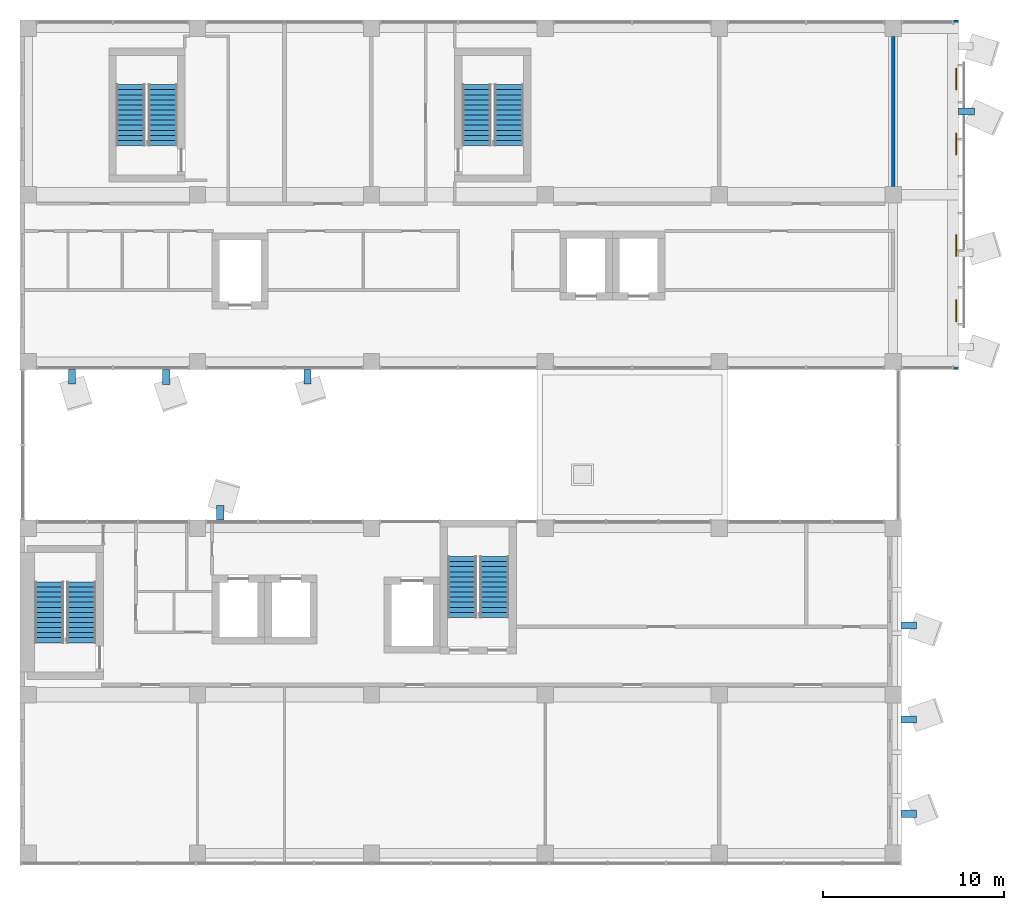
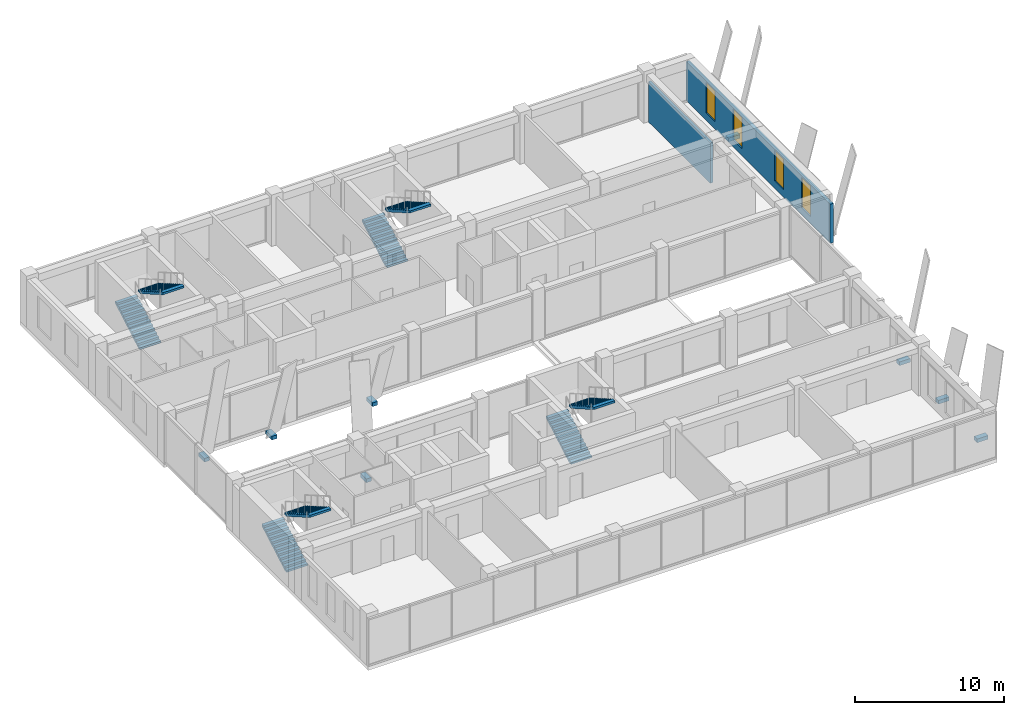
# One storey, part 31 of 38: 8 discrete accessories, 8 stair flights, 4 windows, 2 walls, 4 openings, 4 elements without a shape of their own.
"""IFC4 building model written with IfcOpenShell, lengths in metres."""

from ifc_helpers import new_model, si_unit, direction, frame, frame_2d, origin, origin_2d, place, context, subcontext, project, spatial, polyline, rectangle, outline, extrude, material, layer, layer_set, layer_usage, type_object, element, fill, aggregate, save


model = new_model("IFC4")

# Units and contexts
model_context = context("Model", 3, precision=1e-05, world=origin(), true_north=direction((0.0, 1.0)))
body_context = subcontext(model_context, "Body", "Model", "MODEL_VIEW")
ifc_project = project(units=[si_unit("LENGTHUNIT", "METRE"), si_unit("AREAUNIT", "SQUARE_METRE"), si_unit("VOLUMEUNIT", "CUBIC_METRE"), si_unit("PLANEANGLEUNIT", "RADIAN"), si_unit("MASSUNIT", "GRAM", prefix="KILO")], contexts=[model_context])

# Site, building, storey
site_placement = place(None, origin())
site = spatial("IfcSite", under=ifc_project, at=site_placement, CompositionType="ELEMENT")
building_placement = place(site_placement, origin())
building = spatial("IfcBuilding", under=site, at=building_placement, Name="Nzadi Deep Aquarium and Research Tower", CompositionType="ELEMENT")
storey_placement = place(building_placement, frame((0.0, 0.0, 52.89990234375)))
storey = spatial("IfcBuildingStorey", under=building, at=storey_placement, Name="L10", CompositionType="ELEMENT", Elevation=52.89990234375)

# Wall, openings, windows
ifc_material_1 = material(Name="Graphite aluminium shingle", Category="aluminium")
ifc_layer_1 = layer(ifc_material_1, 0.050048828125, Category="cladding")
ifc_material_2 = material(Name="Concrete C35/45", Category="concrete")
ifc_layer_2 = layer(ifc_material_2, 0.10009765625, Category="cladding")
ifc_material_3 = material(Name="Mineral wool insulation")
ifc_layer_3 = layer(ifc_material_3, 0.070068359375, Category="insulation")
ifc_material_4 = material(Name="Gypsum board lining")
ifc_layer_4 = layer(ifc_material_4, 0.030029296875, Category="lining")
ifc_layer_set_1 = layer_set([ifc_layer_1, ifc_layer_2, ifc_layer_3, ifc_layer_4], Name="Graphite aluminium shingle, Concrete C35/45, Mineral wool insulation, Gypsum board lining")
ifc_layer_usage = layer_usage(ifc_layer_set_1, "AXIS2", "POSITIVE", -0.125)
wall_type_1 = type_object("IfcWallType", Name="End wall shingle over board-formed concrete 250, 3.20 m high", PredefinedType="ELEMENTEDWALL", material=ifc_layer_set_1)
wall_1_placement = place(storey_placement, frame((51.47509765625, 27.14990234375, 0.0), z_axis=(0.0, 0.0, 1.0), x_axis=(0.0, 1.0, 0.0)))
wall_1 = element("IfcWall", 1, at=wall_1_placement, inside=storey, type_object=wall_type_1, material=ifc_layer_usage, Name="End wall blade B east L10", PredefinedType="ELEMENTEDWALL", context=body_context, shape_type="SweptSolid", body=[
    extrude(rectangle(XDim=19.300048828125, YDim=0.25, at=frame_2d((9.64990234375, 0.0))), origin(), (0.0, 0.0, 1.0), 3.2001953125),
])
opening_1_placement = place(wall_1_placement, frame((2.64990234375, 0.0, 0.60009765625)))
opening_1 = element("IfcOpeningElement", 2, at=opening_1_placement, cuts=wall_1, Name="Opening WN08", PredefinedType="OPENING", context=body_context, shape_type="SweptSolid", body=[
    extrude(rectangle(XDim=1.199951171875, YDim=2.5, at=frame_2d((0.60009765625, 1.25))), frame((0.0, 0.135009765625, 0.0), z_axis=(0.0, -1.0, 0.0), x_axis=(1.0, 0.0, 0.0)), (0.0, 0.0, 1.0), 0.27001953125),
])
opening_2_placement = place(wall_1_placement, frame((6.25, 0.0, 0.60009765625)))
opening_2 = element("IfcOpeningElement", 3, at=opening_2_placement, cuts=wall_1, Name="Opening WN08", PredefinedType="OPENING", context=body_context, shape_type="SweptSolid", body=[
    extrude(rectangle(XDim=1.199951171875, YDim=2.5, at=frame_2d((0.60009765625, 1.25))), frame((0.0, 0.135009765625, 0.0), z_axis=(0.0, -1.0, 0.0), x_axis=(1.0, 0.0, 0.0)), (0.0, 0.0, 1.0), 0.27001953125),
])
opening_3_placement = place(wall_1_placement, frame((11.85009765625, 0.0, 0.60009765625)))
opening_3 = element("IfcOpeningElement", 4, at=opening_3_placement, cuts=wall_1, Name="Opening WN08", PredefinedType="OPENING", context=body_context, shape_type="SweptSolid", body=[
    extrude(rectangle(XDim=1.199951171875, YDim=2.5, at=frame_2d((0.60009765625, 1.25))), frame((0.0, 0.135009765625, 0.0), z_axis=(0.0, -1.0, 0.0), x_axis=(1.0, 0.0, 0.0)), (0.0, 0.0, 1.0), 0.27001953125),
])
opening_4_placement = place(wall_1_placement, frame((15.449951171875, 0.0, 0.60009765625)))
opening_4 = element("IfcOpeningElement", 5, at=opening_4_placement, cuts=wall_1, Name="Opening WN08", PredefinedType="OPENING", context=body_context, shape_type="SweptSolid", body=[
    extrude(rectangle(XDim=1.199951171875, YDim=2.5, at=frame_2d((0.60009765625, 1.25))), frame((0.0, 0.135009765625, 0.0), z_axis=(0.0, -1.0, 0.0), x_axis=(1.0, 0.0, 0.0)), (0.0, 0.0, 1.0), 0.27001953125),
])
ifc_material_5 = material(Name="Aluminium window, sage tint glazing", Category="aluminium")
window_type = type_object("IfcWindowType", Name="Slot window 1200x2500 sill 600", PartitioningType="SINGLE_PANEL", PredefinedType="WINDOW", material=ifc_material_5)
window_1_placement = place(opening_1_placement, origin())
window_1 = element("IfcWindow", 6, at=window_1_placement, inside=storey, type_object=window_type, Name="Slot window L10 BE", OverallHeight=2.5, OverallWidth=1.199951171875, PartitioningType="SINGLE_PANEL", PredefinedType="WINDOW", context=body_context, shape_type="SweptSolid", body=[
    extrude(rectangle(XDim=1.199951171875, YDim=2.5, at=frame_2d((0.60009765625, 1.25))), frame((0.0, 0.030029296875, 0.0), z_axis=(0.0, -1.0, 0.0), x_axis=(1.0, 0.0, 0.0)), (0.0, 0.0, 1.0), 0.06005859375),
])
fill(opening_1, window_1)
window_2_placement = place(opening_2_placement, origin())
window_2 = element("IfcWindow", 7, at=window_2_placement, inside=storey, type_object=window_type, Name="Slot window L10 BE", OverallHeight=2.5, OverallWidth=1.199951171875, PartitioningType="SINGLE_PANEL", PredefinedType="WINDOW", context=body_context, shape_type="SweptSolid", body=[
    extrude(rectangle(XDim=1.199951171875, YDim=2.5, at=frame_2d((0.60009765625, 1.25))), frame((0.0, 0.030029296875, 0.0), z_axis=(0.0, -1.0, 0.0), x_axis=(1.0, 0.0, 0.0)), (0.0, 0.0, 1.0), 0.06005859375),
])
fill(opening_2, window_2)
window_3_placement = place(opening_3_placement, origin())
window_3 = element("IfcWindow", 8, at=window_3_placement, inside=storey, type_object=window_type, Name="Slot window L10 BE", OverallHeight=2.5, OverallWidth=1.199951171875, PartitioningType="SINGLE_PANEL", PredefinedType="WINDOW", context=body_context, shape_type="SweptSolid", body=[
    extrude(rectangle(XDim=1.199951171875, YDim=2.5, at=frame_2d((0.60009765625, 1.25))), frame((0.0, 0.030029296875, 0.0), z_axis=(0.0, -1.0, 0.0), x_axis=(1.0, 0.0, 0.0)), (0.0, 0.0, 1.0), 0.06005859375),
])
fill(opening_3, window_3)
window_4_placement = place(opening_4_placement, origin())
window_4 = element("IfcWindow", 9, at=window_4_placement, inside=storey, type_object=window_type, Name="Slot window L10 BE", OverallHeight=2.5, OverallWidth=1.199951171875, PartitioningType="SINGLE_PANEL", PredefinedType="WINDOW", context=body_context, shape_type="SweptSolid", body=[
    extrude(rectangle(XDim=1.199951171875, YDim=2.5, at=frame_2d((0.60009765625, 1.25))), frame((0.0, 0.030029296875, 0.0), z_axis=(0.0, -1.0, 0.0), x_axis=(1.0, 0.0, 0.0)), (0.0, 0.0, 1.0), 0.06005859375),
])
fill(opening_4, window_4)

# Wall
ifc_material_6 = material(Name="Blockwork masonry", Category="masonry")
ifc_layer_5 = layer(ifc_material_6, 0.199951171875)
ifc_layer_set_2 = layer_set([ifc_layer_5], Name="Blockwork masonry")
wall_type_2 = type_object("IfcWallType", Name="Partition 200 EI 120, 3.30 m high", PredefinedType="PARTITIONING", material=ifc_layer_set_2)
wall_2_placement = place(storey_placement, frame((48.0, 37.25, 0.0), z_axis=(0.0, 0.0, 1.0), x_axis=(0.0, 1.0, 0.0)))
element("IfcWall", 10, at=wall_2_placement, inside=storey, type_object=wall_type_2, Name="W-Z1-L10-P046", PredefinedType="PARTITIONING", context=body_context, shape_type="SweptSolid", body=[
    extrude(rectangle(XDim=8.300048828125, YDim=0.199951171875, at=frame_2d((4.14990234375, 0.0))), origin(), (0.0, 0.0, 1.0), 3.300048828125),
])

# Stair, stair flights
ifc_material_7 = material(Name="Concrete C35/45", Category="concrete")
stair_type = type_object("IfcStairType", Name="STAIR RETURN 3000", PredefinedType="NOTDEFINED", material=ifc_material_7)
stair_1_placement = place(storey_placement, origin())
stair_1 = element("IfcStair", 11, at=stair_1_placement, inside=storey, type_object=stair_type, Name="Stair ST-Z1-SW L10", PredefinedType="HALF_TURN_STAIR")
ifc_material_8 = material(Name="Concrete C35/45", Category="concrete")
stair_flight_type = type_object("IfcStairFlightType", Name="FLIGHT 1625 13 RISERS 161.5 GOING 280", PredefinedType="STRAIGHT", material=ifc_material_8)
stair_flight_1_placement = place(storey_placement, frame((1.41259765625, 12.070068359375, 0.0), z_axis=(0.0, 0.0, 1.0), x_axis=(0.0, 1.0, 0.0)))
stair_flight_1 = element("IfcStairFlight", 12, at=stair_flight_1_placement, type_object=stair_flight_type, Name="ST-Z1-SW flight 1", NumberOfRisers=13, NumberOfTreads=12, PredefinedType="STRAIGHT", RiserHeight=0.161538462, TreadLength=0.28, context=body_context, shape_type="SweptSolid", body=[
    extrude(outline(polyline([(0.0, 0.0), (0.0, 0.16162109375), (0.280029296875, 0.16162109375), (0.280029296875, 0.322998046875), (0.56005859375, 0.322998046875), (0.56005859375, 0.484619140625), (0.840087890625, 0.484619140625), (0.840087890625, 0.646240234375), (1.1201171875, 0.646240234375), (1.1201171875, 0.8076171875), (1.39990234375, 0.8076171875), (1.39990234375, 0.96923828125), (1.679931640625, 0.96923828125), (1.679931640625, 1.130859375), (1.9599609375, 1.130859375), (1.9599609375, 1.292236328125), (2.239990234375, 1.292236328125), (2.239990234375, 1.453857421875), (2.52001953125, 1.453857421875), (2.52001953125, 1.615478515625), (2.800048828125, 1.615478515625), (2.800048828125, 1.77685546875), (3.080078125, 1.77685546875), (3.080078125, 1.9384765625), (3.360107421875, 1.9384765625), (3.360107421875, 2.10009765625), (3.360107421875, 1.765380859375), (0.300048828125, 0.0), (0.0, 0.0)])), frame((0.0, 0.8125, 0.0), z_axis=(0.0, -1.0, 0.0), x_axis=(1.0, 0.0, 0.0)), (0.0, 0.0, 1.0), 1.625),
])
stair_flight_2_placement = place(storey_placement, frame((3.1875, 15.429931640625, 2.10009765625), z_axis=(0.0, 0.0, 1.0), x_axis=(0.0, -1.0, 0.0)))
stair_flight_2 = element("IfcStairFlight", 13, at=stair_flight_2_placement, type_object=stair_flight_type, Name="ST-Z1-SW flight 2", NumberOfRisers=13, NumberOfTreads=12, PredefinedType="STRAIGHT", RiserHeight=0.161538462, TreadLength=0.28, context=body_context, shape_type="SweptSolid", body=[
    extrude(outline(polyline([(0.0, 0.0), (0.0, 0.16162109375), (0.280029296875, 0.16162109375), (0.280029296875, 0.322998046875), (0.56005859375, 0.322998046875), (0.56005859375, 0.484619140625), (0.840087890625, 0.484619140625), (0.840087890625, 0.646240234375), (1.1201171875, 0.646240234375), (1.1201171875, 0.8076171875), (1.39990234375, 0.8076171875), (1.39990234375, 0.96923828125), (1.679931640625, 0.96923828125), (1.679931640625, 1.130859375), (1.9599609375, 1.130859375), (1.9599609375, 1.292236328125), (2.239990234375, 1.292236328125), (2.239990234375, 1.453857421875), (2.52001953125, 1.453857421875), (2.52001953125, 1.615478515625), (2.800048828125, 1.615478515625), (2.800048828125, 1.77685546875), (3.080078125, 1.77685546875), (3.080078125, 1.9384765625), (3.360107421875, 1.9384765625), (3.360107421875, 2.10009765625), (3.360107421875, 1.765380859375), (0.300048828125, 0.0), (0.0, 0.0)])), frame((0.0, 0.8125, 0.0), z_axis=(0.0, -1.0, 0.0), x_axis=(1.0, 0.0, 0.0)), (0.0, 0.0, 1.0), 1.625),
])
aggregate(stair_1, [stair_flight_1, stair_flight_2])

stair_2_placement = place(storey_placement, origin())
stair_2 = element("IfcStair", 14, at=stair_2_placement, inside=storey, type_object=stair_type, Name="Stair ST-Z1-SE L10", PredefinedType="HALF_TURN_STAIR")
stair_flight_3_placement = place(storey_placement, frame((24.21240234375, 13.469970703125, 0.0), z_axis=(0.0, 0.0, 1.0), x_axis=(0.0, 1.0, 0.0)))
stair_flight_3 = element("IfcStairFlight", 15, at=stair_flight_3_placement, type_object=stair_flight_type, Name="ST-Z1-SE flight 1", NumberOfRisers=13, NumberOfTreads=12, PredefinedType="STRAIGHT", RiserHeight=0.161538462, TreadLength=0.28, context=body_context, shape_type="SweptSolid", body=[
    extrude(outline(polyline([(0.0, 0.0), (0.0, 0.16162109375), (0.280029296875, 0.16162109375), (0.280029296875, 0.322998046875), (0.56005859375, 0.322998046875), (0.56005859375, 0.484619140625), (0.840087890625, 0.484619140625), (0.840087890625, 0.646240234375), (1.1201171875, 0.646240234375), (1.1201171875, 0.8076171875), (1.39990234375, 0.8076171875), (1.39990234375, 0.96923828125), (1.679931640625, 0.96923828125), (1.679931640625, 1.130859375), (1.9599609375, 1.130859375), (1.9599609375, 1.292236328125), (2.239990234375, 1.292236328125), (2.239990234375, 1.453857421875), (2.52001953125, 1.453857421875), (2.52001953125, 1.615478515625), (2.800048828125, 1.615478515625), (2.800048828125, 1.77685546875), (3.080078125, 1.77685546875), (3.080078125, 1.9384765625), (3.360107421875, 1.9384765625), (3.360107421875, 2.10009765625), (3.360107421875, 1.765380859375), (0.300048828125, 0.0), (0.0, 0.0)])), frame((0.0, 0.8125, 0.0), z_axis=(0.0, -1.0, 0.0), x_axis=(1.0, 0.0, 0.0)), (0.0, 0.0, 1.0), 1.625),
])
stair_flight_4_placement = place(storey_placement, frame((25.987548828125, 16.830078125, 2.10009765625), z_axis=(0.0, 0.0, 1.0), x_axis=(0.0, -1.0, 0.0)))
stair_flight_4 = element("IfcStairFlight", 16, at=stair_flight_4_placement, type_object=stair_flight_type, Name="ST-Z1-SE flight 2", NumberOfRisers=13, NumberOfTreads=12, PredefinedType="STRAIGHT", RiserHeight=0.161538462, TreadLength=0.28, context=body_context, shape_type="SweptSolid", body=[
    extrude(outline(polyline([(0.0, 0.0), (0.0, 0.16162109375), (0.280029296875, 0.16162109375), (0.280029296875, 0.322998046875), (0.56005859375, 0.322998046875), (0.56005859375, 0.484619140625), (0.840087890625, 0.484619140625), (0.840087890625, 0.646240234375), (1.1201171875, 0.646240234375), (1.1201171875, 0.8076171875), (1.39990234375, 0.8076171875), (1.39990234375, 0.96923828125), (1.679931640625, 0.96923828125), (1.679931640625, 1.130859375), (1.9599609375, 1.130859375), (1.9599609375, 1.292236328125), (2.239990234375, 1.292236328125), (2.239990234375, 1.453857421875), (2.52001953125, 1.453857421875), (2.52001953125, 1.615478515625), (2.800048828125, 1.615478515625), (2.800048828125, 1.77685546875), (3.080078125, 1.77685546875), (3.080078125, 1.9384765625), (3.360107421875, 1.9384765625), (3.360107421875, 2.10009765625), (3.360107421875, 1.765380859375), (0.300048828125, 0.0), (0.0, 0.0)])), frame((0.0, 0.8125, 0.0), z_axis=(0.0, -1.0, 0.0), x_axis=(1.0, 0.0, 0.0)), (0.0, 0.0, 1.0), 1.625),
])
aggregate(stair_2, [stair_flight_3, stair_flight_4])

stair_3_placement = place(storey_placement, origin())
stair_3 = element("IfcStair", 17, at=stair_3_placement, inside=storey, type_object=stair_type, Name="Stair ST-Z1-NW L10", PredefinedType="HALF_TURN_STAIR")
stair_flight_5_placement = place(storey_placement, frame((5.91259765625, 39.52001953125, 0.0), z_axis=(0.0, 0.0, 1.0), x_axis=(0.0, 1.0, 0.0)))
stair_flight_5 = element("IfcStairFlight", 18, at=stair_flight_5_placement, type_object=stair_flight_type, Name="ST-Z1-NW flight 1", NumberOfRisers=13, NumberOfTreads=12, PredefinedType="STRAIGHT", RiserHeight=0.161538462, TreadLength=0.28, context=body_context, shape_type="SweptSolid", body=[
    extrude(outline(polyline([(0.0, 0.0), (0.0, 0.16162109375), (0.280029296875, 0.16162109375), (0.280029296875, 0.322998046875), (0.56005859375, 0.322998046875), (0.56005859375, 0.484619140625), (0.840087890625, 0.484619140625), (0.840087890625, 0.646240234375), (1.1201171875, 0.646240234375), (1.1201171875, 0.8076171875), (1.39990234375, 0.8076171875), (1.39990234375, 0.96923828125), (1.679931640625, 0.96923828125), (1.679931640625, 1.130859375), (1.9599609375, 1.130859375), (1.9599609375, 1.292236328125), (2.239990234375, 1.292236328125), (2.239990234375, 1.453857421875), (2.52001953125, 1.453857421875), (2.52001953125, 1.615478515625), (2.800048828125, 1.615478515625), (2.800048828125, 1.77685546875), (3.080078125, 1.77685546875), (3.080078125, 1.9384765625), (3.360107421875, 1.9384765625), (3.360107421875, 2.10009765625), (3.360107421875, 1.765380859375), (0.300048828125, 0.0), (0.0, 0.0)])), frame((0.0, 0.8125, 0.0), z_axis=(0.0, -1.0, 0.0), x_axis=(1.0, 0.0, 0.0)), (0.0, 0.0, 1.0), 1.625),
])
stair_flight_6_placement = place(storey_placement, frame((7.6875, 42.8798828125, 2.10009765625), z_axis=(0.0, 0.0, 1.0), x_axis=(0.0, -1.0, 0.0)))
stair_flight_6 = element("IfcStairFlight", 19, at=stair_flight_6_placement, type_object=stair_flight_type, Name="ST-Z1-NW flight 2", NumberOfRisers=13, NumberOfTreads=12, PredefinedType="STRAIGHT", RiserHeight=0.161538462, TreadLength=0.28, context=body_context, shape_type="SweptSolid", body=[
    extrude(outline(polyline([(0.0, 0.0), (0.0, 0.16162109375), (0.280029296875, 0.16162109375), (0.280029296875, 0.322998046875), (0.56005859375, 0.322998046875), (0.56005859375, 0.484619140625), (0.840087890625, 0.484619140625), (0.840087890625, 0.646240234375), (1.1201171875, 0.646240234375), (1.1201171875, 0.8076171875), (1.39990234375, 0.8076171875), (1.39990234375, 0.96923828125), (1.679931640625, 0.96923828125), (1.679931640625, 1.130859375), (1.9599609375, 1.130859375), (1.9599609375, 1.292236328125), (2.239990234375, 1.292236328125), (2.239990234375, 1.453857421875), (2.52001953125, 1.453857421875), (2.52001953125, 1.615478515625), (2.800048828125, 1.615478515625), (2.800048828125, 1.77685546875), (3.080078125, 1.77685546875), (3.080078125, 1.9384765625), (3.360107421875, 1.9384765625), (3.360107421875, 2.10009765625), (3.360107421875, 1.765380859375), (0.300048828125, 0.0), (0.0, 0.0)])), frame((0.0, 0.8125, 0.0), z_axis=(0.0, -1.0, 0.0), x_axis=(1.0, 0.0, 0.0)), (0.0, 0.0, 1.0), 1.625),
])
aggregate(stair_3, [stair_flight_5, stair_flight_6])

stair_4_placement = place(storey_placement, origin())
stair_4 = element("IfcStair", 20, at=stair_4_placement, inside=storey, type_object=stair_type, Name="Stair ST-Z1-NE L10", PredefinedType="HALF_TURN_STAIR")
stair_flight_7_placement = place(storey_placement, frame((25.012451171875, 39.52001953125, 0.0), z_axis=(0.0, 0.0, 1.0), x_axis=(0.0, 1.0, 0.0)))
stair_flight_7 = element("IfcStairFlight", 21, at=stair_flight_7_placement, type_object=stair_flight_type, Name="ST-Z1-NE flight 1", NumberOfRisers=13, NumberOfTreads=12, PredefinedType="STRAIGHT", RiserHeight=0.161538462, TreadLength=0.28, context=body_context, shape_type="SweptSolid", body=[
    extrude(outline(polyline([(0.0, 0.0), (0.0, 0.16162109375), (0.280029296875, 0.16162109375), (0.280029296875, 0.322998046875), (0.56005859375, 0.322998046875), (0.56005859375, 0.484619140625), (0.840087890625, 0.484619140625), (0.840087890625, 0.646240234375), (1.1201171875, 0.646240234375), (1.1201171875, 0.8076171875), (1.39990234375, 0.8076171875), (1.39990234375, 0.96923828125), (1.679931640625, 0.96923828125), (1.679931640625, 1.130859375), (1.9599609375, 1.130859375), (1.9599609375, 1.292236328125), (2.239990234375, 1.292236328125), (2.239990234375, 1.453857421875), (2.52001953125, 1.453857421875), (2.52001953125, 1.615478515625), (2.800048828125, 1.615478515625), (2.800048828125, 1.77685546875), (3.080078125, 1.77685546875), (3.080078125, 1.9384765625), (3.360107421875, 1.9384765625), (3.360107421875, 2.10009765625), (3.360107421875, 1.765380859375), (0.300048828125, 0.0), (0.0, 0.0)])), frame((0.0, 0.8125, 0.0), z_axis=(0.0, -1.0, 0.0), x_axis=(1.0, 0.0, 0.0)), (0.0, 0.0, 1.0), 1.625),
])
stair_flight_8_placement = place(storey_placement, frame((26.78759765625, 42.8798828125, 2.10009765625), z_axis=(0.0, 0.0, 1.0), x_axis=(0.0, -1.0, 0.0)))
stair_flight_8 = element("IfcStairFlight", 22, at=stair_flight_8_placement, type_object=stair_flight_type, Name="ST-Z1-NE flight 2", NumberOfRisers=13, NumberOfTreads=12, PredefinedType="STRAIGHT", RiserHeight=0.161538462, TreadLength=0.28, context=body_context, shape_type="SweptSolid", body=[
    extrude(outline(polyline([(0.0, 0.0), (0.0, 0.16162109375), (0.280029296875, 0.16162109375), (0.280029296875, 0.322998046875), (0.56005859375, 0.322998046875), (0.56005859375, 0.484619140625), (0.840087890625, 0.484619140625), (0.840087890625, 0.646240234375), (1.1201171875, 0.646240234375), (1.1201171875, 0.8076171875), (1.39990234375, 0.8076171875), (1.39990234375, 0.96923828125), (1.679931640625, 0.96923828125), (1.679931640625, 1.130859375), (1.9599609375, 1.130859375), (1.9599609375, 1.292236328125), (2.239990234375, 1.292236328125), (2.239990234375, 1.453857421875), (2.52001953125, 1.453857421875), (2.52001953125, 1.615478515625), (2.800048828125, 1.615478515625), (2.800048828125, 1.77685546875), (3.080078125, 1.77685546875), (3.080078125, 1.9384765625), (3.360107421875, 1.9384765625), (3.360107421875, 2.10009765625), (3.360107421875, 1.765380859375), (0.300048828125, 0.0), (0.0, 0.0)])), frame((0.0, 0.8125, 0.0), z_axis=(0.0, -1.0, 0.0), x_axis=(1.0, 0.0, 0.0)), (0.0, 0.0, 1.0), 1.625),
])
aggregate(stair_4, [stair_flight_7, stair_flight_8])

# Discrete accessories
discrete_accessory_1_placement = place(storey_placement, frame((48.87548828125, 2.6298828125, -0.2998046875), z_axis=(0.0, 0.0, 1.0), x_axis=(1.0, 0.0, 0.0)))
element("IfcDiscreteAccessory", 23, at=discrete_accessory_1_placement, inside=storey, Name="Fold blade bracket", PredefinedType="BRACKET", context=body_context, shape_type="SweptSolid", body=[
    extrude(rectangle(XDim=0.850830078125, YDim=0.39990234375, at=origin_2d()), origin(), (0.0, 0.0, 1.0), 0.300048828125),
])
discrete_accessory_2_placement = place(storey_placement, frame((48.864501953125, 7.830078125, -0.2998046875), z_axis=(0.0, 0.0, 1.0), x_axis=(1.0, 0.0, 0.0)))
element("IfcDiscreteAccessory", 24, at=discrete_accessory_2_placement, inside=storey, Name="Fold blade bracket", PredefinedType="BRACKET", context=body_context, shape_type="SweptSolid", body=[
    extrude(rectangle(XDim=0.8291015625, YDim=0.39990234375, at=origin_2d()), origin(), (0.0, 0.0, 1.0), 0.300048828125),
])
discrete_accessory_3_placement = place(storey_placement, frame((48.86572265625, 13.030029296875, -0.2998046875), z_axis=(0.0, 0.0, 1.0), x_axis=(1.0, 0.0, 0.0)))
element("IfcDiscreteAccessory", 25, at=discrete_accessory_3_placement, inside=storey, Name="Fold blade bracket", PredefinedType="BRACKET", context=body_context, shape_type="SweptSolid", body=[
    extrude(rectangle(XDim=0.831298828125, YDim=0.39990234375, at=origin_2d()), origin(), (0.0, 0.0, 1.0), 0.300048828125),
])
discrete_accessory_4_placement = place(storey_placement, frame((52.044677734375, 41.39990234375, -0.2998046875), z_axis=(0.0, 0.0, 1.0), x_axis=(1.0, 0.0, 0.0)))
element("IfcDiscreteAccessory", 26, at=discrete_accessory_4_placement, inside=storey, Name="Fold blade bracket", PredefinedType="BRACKET", context=body_context, shape_type="SweptSolid", body=[
    extrude(rectangle(XDim=0.88916015625, YDim=0.39990234375, at=origin_2d()), origin(), (0.0, 0.0, 1.0), 0.300048828125),
])
discrete_accessory_5_placement = place(storey_placement, frame((10.860107421875, 19.248291015625, -0.2998046875), z_axis=(0.0, 0.0, 1.0), x_axis=(1.0, 0.0, 0.0)))
element("IfcDiscreteAccessory", 27, at=discrete_accessory_5_placement, inside=storey, Name="Fold blade bracket", PredefinedType="BRACKET", context=body_context, shape_type="SweptSolid", body=[
    extrude(rectangle(XDim=0.39990234375, YDim=0.79638671875, at=origin_2d()), origin(), (0.0, 0.0, 1.0), 0.300048828125),
])
discrete_accessory_6_placement = place(storey_placement, frame((2.669921875, 26.75, -0.2998046875), z_axis=(0.0, 0.0, 1.0), x_axis=(1.0, 0.0, 0.0)))
element("IfcDiscreteAccessory", 28, at=discrete_accessory_6_placement, inside=storey, Name="Fold blade bracket", PredefinedType="BRACKET", context=body_context, shape_type="SweptSolid", body=[
    extrude(rectangle(XDim=0.39990234375, YDim=0.800048828125, at=origin_2d()), origin(), (0.0, 0.0, 1.0), 0.300048828125),
])
discrete_accessory_7_placement = place(storey_placement, frame((7.8701171875, 26.73828125, -0.2998046875), z_axis=(0.0, 0.0, 1.0), x_axis=(1.0, 0.0, 0.0)))
element("IfcDiscreteAccessory", 29, at=discrete_accessory_7_placement, inside=storey, Name="Fold blade bracket", PredefinedType="BRACKET", context=body_context, shape_type="SweptSolid", body=[
    extrude(rectangle(XDim=0.39990234375, YDim=0.8232421875, at=origin_2d()), origin(), (0.0, 0.0, 1.0), 0.300048828125),
])
discrete_accessory_8_placement = place(storey_placement, frame((15.669921875, 26.74658203125, -0.2998046875), z_axis=(0.0, 0.0, 1.0), x_axis=(1.0, 0.0, 0.0)))
element("IfcDiscreteAccessory", 30, at=discrete_accessory_8_placement, inside=storey, Name="Fold blade bracket", PredefinedType="BRACKET", context=body_context, shape_type="SweptSolid", body=[
    extrude(rectangle(XDim=0.39990234375, YDim=0.806884765625, at=origin_2d()), origin(), (0.0, 0.0, 1.0), 0.300048828125),
])

save(model, "model.ifc")
